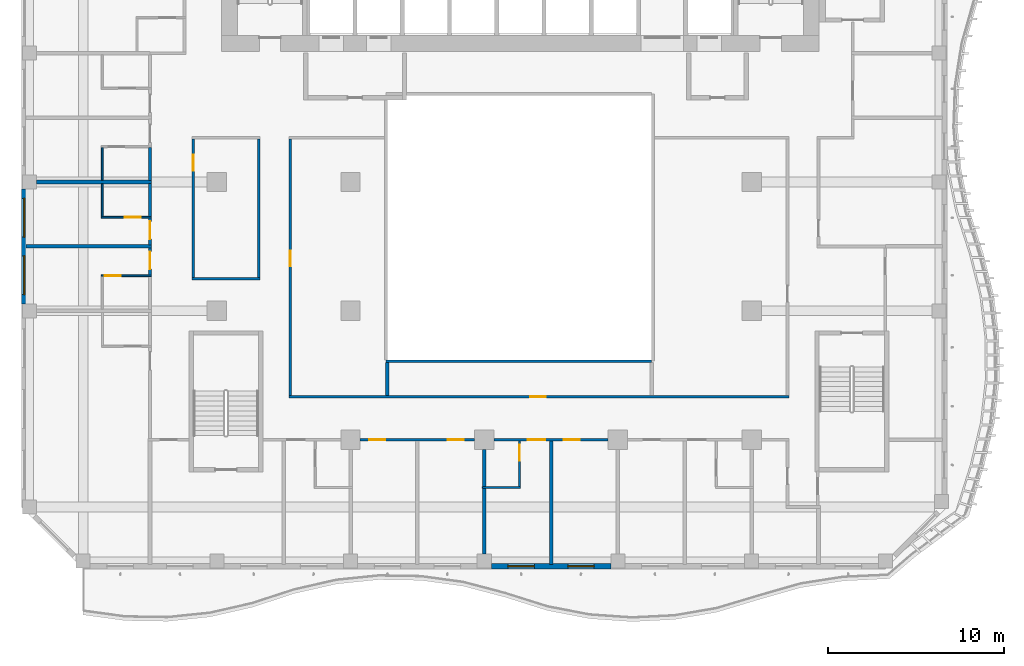
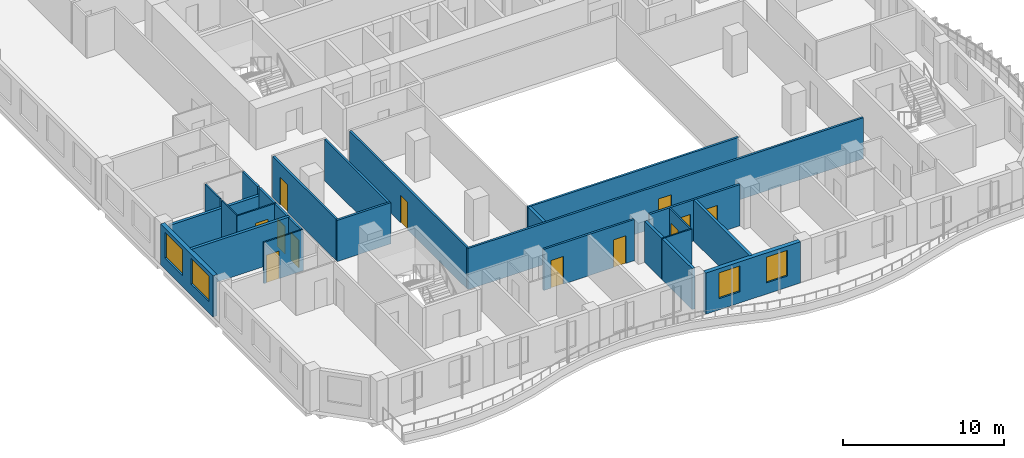
# One storey, part 3 of 22: 26 walls, 12 doors, 4 windows, 16 openings.
"""IFC4 building model written with IfcOpenShell, lengths in metres."""

from ifc_helpers import new_model, si_unit, direction, frame, frame_2d, origin, place, context, subcontext, project, spatial, rectangle, extrude, source, transform, mapped, material, layer, layer_set, type_object, element, fill, save


model = new_model("IFC4")

# Units and contexts
model_context = context("Model", 3, precision=1e-05, world=origin(), true_north=direction((0.0, 1.0)))
body_context = subcontext(model_context, "Body", "Model", "MODEL_VIEW")
ifc_project = project(units=[si_unit("LENGTHUNIT", "METRE"), si_unit("AREAUNIT", "SQUARE_METRE"), si_unit("VOLUMEUNIT", "CUBIC_METRE"), si_unit("PLANEANGLEUNIT", "RADIAN"), si_unit("MASSUNIT", "GRAM", prefix="KILO")], contexts=[model_context])

# Site, building, storey
site_placement = place(None, origin())
site = spatial("IfcSite", under=ifc_project, at=site_placement, CompositionType="ELEMENT")
building_placement = place(site_placement, origin())
building = spatial("IfcBuilding", under=site, at=building_placement, Name="Kilnfold Tower and Market Hall", CompositionType="ELEMENT")
storey_placement = place(building_placement, frame((0.0, 0.0, 143.89990234375)))
storey = spatial("IfcBuildingStorey", under=building, at=storey_placement, Name="L32", CompositionType="ELEMENT", Elevation=143.89990234375)

# Wall
ifc_material_1 = material(Name="Fire-resisting glazed screen")
ifc_layer_1 = layer(ifc_material_1, 0.14990234375)
ifc_layer_set_1 = layer_set([ifc_layer_1], Name="Fire-resisting glazed screen")
wall_type_1 = type_object("IfcWallType", Name="WALL ATRIUM 150", PredefinedType="PARTITIONING", material=ifc_layer_set_1)
wall_1_placement = place(storey_placement, frame((8.5, -9.47509765625, 0.0), z_axis=(0.0, 0.0, 1.0), x_axis=(-1.0, 0.0, 0.0)))
element("IfcWall", 1, at=wall_1_placement, inside=storey, type_object=wall_type_1, Name="Partition LY21.128", PredefinedType="PARTITIONING", context=body_context, shape_type="SweptSolid", body=[
    extrude(rectangle(XDim=15.074951171875, YDim=0.14990234375, at=frame_2d((7.53759765625, 0.0))), origin(), (0.0, 0.0, 1.0), 3.1201171875),
])

# Wall, openings, doors
ifc_material_2 = material(Name="Gypsum board on steel studs", Category="steel")
ifc_layer_2 = layer(ifc_material_2, 0.14990234375)
ifc_layer_set_2 = layer_set([ifc_layer_2], Name="Gypsum board on steel studs")
wall_type_2 = type_object("IfcWallType", Name="WALL CORRIDOR 150", PredefinedType="PARTITIONING", material=ifc_layer_set_2)
wall_2_placement = place(storey_placement, frame((-8.032958984375, -13.93798828125, 0.0), z_axis=(0.0, 0.0, 1.0), x_axis=(1.0, 0.0, 0.0)))
wall_2 = element("IfcWall", 2, at=wall_2_placement, inside=storey, type_object=wall_type_2, Name="Partition LY21.3", PredefinedType="PARTITIONING", context=body_context, shape_type="SweptSolid", body=[
    extrude(rectangle(XDim=6.48291015625, YDim=0.14990234375, at=frame_2d((3.241455078125, 0.0))), origin(), (0.0, 0.0, 1.0), 3.1201171875),
])
opening_1_placement = place(wall_2_placement, frame((0.508056640625, 0.0, 0.0)))
opening_1 = element("IfcOpeningElement", 3, at=opening_1_placement, cuts=wall_2, Name="Opening D2", PredefinedType="OPENING", context=body_context, shape_type="SweptSolid", body=[
    extrude(rectangle(XDim=0.89990234375, YDim=2.10009765625, at=frame_2d((0.449951171875, 1.050048828125))), frame((0.0, 0.0849609375, 0.0), z_axis=(0.0, -1.0, 0.0), x_axis=(1.0, 0.0, 0.0)), (0.0, 0.0, 1.0), 0.169921875),
])
opening_2_placement = place(wall_2_placement, frame((4.971923828125, 0.0, 0.0)))
opening_2 = element("IfcOpeningElement", 4, at=opening_2_placement, cuts=wall_2, Name="Opening D2", PredefinedType="OPENING", context=body_context, shape_type="SweptSolid", body=[
    extrude(rectangle(XDim=0.89990234375, YDim=2.10009765625, at=frame_2d((0.449951171875, 1.050048828125))), frame((0.0, 0.0849609375, 0.0), z_axis=(0.0, -1.0, 0.0), x_axis=(1.0, 0.0, 0.0)), (0.0, 0.0, 1.0), 0.169921875),
])
ifc_material_3 = material(Name="Timber veneer door leaf in steel frame", Category="steel")
door_type_1 = type_object("IfcDoorType", Name="DOOR ROOM 900 X2100", OperationType="NOTDEFINED", PredefinedType="DOOR", material=ifc_material_3)
door_1_placement = place(opening_1_placement, origin())
door_1 = element("IfcDoor", 5, at=door_1_placement, inside=storey, type_object=door_type_1, Name="Door D2", OperationType="SINGLE_SWING_RIGHT", OverallHeight=2.10009765625, OverallWidth=0.89990234375, PredefinedType="DOOR", context=body_context, shape_type="SweptSolid", body=[
    extrude(rectangle(XDim=0.89990234375, YDim=2.10009765625, at=frame_2d((0.449951171875, 1.050048828125))), frame((0.0, 0.02490234375, 0.0), z_axis=(0.0, -1.0, 0.0), x_axis=(1.0, 0.0, 0.0)), (0.0, 0.0, 1.0), 0.050048828125),
])
fill(opening_1, door_1)
door_2_placement = place(opening_2_placement, origin())
door_2 = element("IfcDoor", 6, at=door_2_placement, inside=storey, type_object=door_type_1, Name="Door D2", OperationType="SINGLE_SWING_RIGHT", OverallHeight=2.10009765625, OverallWidth=0.89990234375, PredefinedType="DOOR", context=body_context, shape_type="SweptSolid", body=[
    extrude(rectangle(XDim=0.89990234375, YDim=2.10009765625, at=frame_2d((0.449951171875, 1.050048828125))), frame((0.0, 0.02490234375, 0.0), z_axis=(0.0, -1.0, 0.0), x_axis=(1.0, 0.0, 0.0)), (0.0, 0.0, 1.0), 0.050048828125),
])
fill(opening_2, door_2)

wall_3_placement = place(storey_placement, frame((-0.449951171875, -13.93798828125, 0.0), z_axis=(0.0, 0.0, 1.0), x_axis=(1.0, 0.0, 0.0)))
wall_3 = element("IfcWall", 7, at=wall_3_placement, inside=storey, type_object=wall_type_2, Name="Partition LY21.4", PredefinedType="PARTITIONING", context=body_context, shape_type="SweptSolid", body=[
    extrude(rectangle(XDim=6.48291015625, YDim=0.14990234375, at=frame_2d((3.241455078125, 0.0))), origin(), (0.0, 0.0, 1.0), 3.1201171875),
])
opening_3_placement = place(wall_3_placement, frame((1.908935546875, 0.0, 0.0)))
opening_3 = element("IfcOpeningElement", 8, at=opening_3_placement, cuts=wall_3, Name="Opening D1", PredefinedType="OPENING", context=body_context, shape_type="SweptSolid", body=[
    extrude(rectangle(XDim=1.0, YDim=2.10009765625, at=frame_2d((0.5, 1.050048828125))), frame((0.0, 0.0849609375, 0.0), z_axis=(0.0, -1.0, 0.0), x_axis=(1.0, 0.0, 0.0)), (0.0, 0.0, 1.0), 0.169921875),
])
opening_4_placement = place(wall_3_placement, frame((3.968017578125, 0.0, 0.0)))
opening_4 = element("IfcOpeningElement", 9, at=opening_4_placement, cuts=wall_3, Name="Opening D2", PredefinedType="OPENING", context=body_context, shape_type="SweptSolid", body=[
    extrude(rectangle(XDim=0.89990234375, YDim=2.10009765625, at=frame_2d((0.449951171875, 1.050048828125))), frame((0.0, 0.0849609375, 0.0), z_axis=(0.0, -1.0, 0.0), x_axis=(1.0, 0.0, 0.0)), (0.0, 0.0, 1.0), 0.169921875),
])
ifc_material_4 = material(Name="Timber veneer door leaf in steel frame", Category="steel")
door_type_2 = type_object("IfcDoorType", Name="DOOR ENTRY 1000 X2100", OperationType="NOTDEFINED", PredefinedType="DOOR", material=ifc_material_4)
door_3_placement = place(opening_3_placement, origin())
door_3 = element("IfcDoor", 10, at=door_3_placement, inside=storey, type_object=door_type_2, Name="Door D1", OperationType="SINGLE_SWING_RIGHT", OverallHeight=2.10009765625, OverallWidth=1.0, PredefinedType="DOOR", context=body_context, shape_type="SweptSolid", body=[
    extrude(rectangle(XDim=1.0, YDim=2.10009765625, at=frame_2d((0.5, 1.050048828125))), frame((0.0, 0.02490234375, 0.0), z_axis=(0.0, -1.0, 0.0), x_axis=(1.0, 0.0, 0.0)), (0.0, 0.0, 1.0), 0.050048828125),
])
fill(opening_3, door_3)
door_4_placement = place(opening_4_placement, origin())
door_4 = element("IfcDoor", 11, at=door_4_placement, inside=storey, type_object=door_type_1, Name="Door D2", OperationType="SINGLE_SWING_LEFT", OverallHeight=2.10009765625, OverallWidth=0.89990234375, PredefinedType="DOOR", context=body_context, shape_type="SweptSolid", body=[
    extrude(rectangle(XDim=0.89990234375, YDim=2.10009765625, at=frame_2d((0.449951171875, 1.050048828125))), frame((0.0, 0.02490234375, 0.0), z_axis=(0.0, -1.0, 0.0), x_axis=(1.0, 0.0, 0.0)), (0.0, 0.0, 1.0), 0.050048828125),
])
fill(opening_4, door_4)

# Wall, opening, door
wall_4_placement = place(storey_placement, frame((-19.958984375, -4.5849609375, 0.0), z_axis=(0.0, 0.0, 1.0), x_axis=(0.0, 1.0, 0.0)))
wall_4 = element("IfcWall", 12, at=wall_4_placement, inside=storey, type_object=wall_type_2, Name="Partition LY21.12", PredefinedType="PARTITIONING", context=body_context, shape_type="SweptSolid", body=[
    extrude(rectangle(XDim=1.52587890625, YDim=0.14990234375, at=frame_2d((0.762939453125, 0.0))), origin(), (0.0, 0.0, 1.0), 3.1201171875),
])
opening_5_placement = place(wall_4_placement, frame((0.325927734375, 0.0, 0.0)))
opening_5 = element("IfcOpeningElement", 13, at=opening_5_placement, cuts=wall_4, Name="Opening D1", PredefinedType="OPENING", context=body_context, shape_type="SweptSolid", body=[
    extrude(rectangle(XDim=1.0, YDim=2.10009765625, at=frame_2d((0.5, 1.050048828125))), frame((0.0, 0.0849609375, 0.0), z_axis=(0.0, -1.0, 0.0), x_axis=(1.0, 0.0, 0.0)), (0.0, 0.0, 1.0), 0.169921875),
])
door_5_placement = place(opening_5_placement, origin())
door_5 = element("IfcDoor", 14, at=door_5_placement, inside=storey, type_object=door_type_2, Name="Door D1", OperationType="SINGLE_SWING_LEFT", OverallHeight=2.10009765625, OverallWidth=1.0, PredefinedType="DOOR", context=body_context, shape_type="SweptSolid", body=[
    extrude(rectangle(XDim=1.0, YDim=2.10009765625, at=frame_2d((0.5, 1.050048828125))), frame((0.0, 0.02490234375, 0.0), z_axis=(0.0, -1.0, 0.0), x_axis=(1.0, 0.0, 0.0)), (0.0, 0.0, 1.0), 0.050048828125),
])
fill(opening_5, door_5)

wall_5_placement = place(storey_placement, frame((-19.958984375, -2.87890625, 0.0), z_axis=(0.0, 0.0, 1.0), x_axis=(0.0, 1.0, 0.0)))
wall_5 = element("IfcWall", 15, at=wall_5_placement, inside=storey, type_object=wall_type_2, Name="Partition LY21.14", PredefinedType="PARTITIONING", context=body_context, shape_type="SweptSolid", body=[
    extrude(rectangle(XDim=1.52685546875, YDim=0.14990234375, at=frame_2d((0.763427734375, 0.0))), origin(), (0.0, 0.0, 1.0), 3.1201171875),
])
opening_6_placement = place(wall_5_placement, frame((0.326904296875, 0.0, 0.0)))
opening_6 = element("IfcOpeningElement", 16, at=opening_6_placement, cuts=wall_5, Name="Opening D1", PredefinedType="OPENING", context=body_context, shape_type="SweptSolid", body=[
    extrude(rectangle(XDim=1.0, YDim=2.10009765625, at=frame_2d((0.5, 1.050048828125))), frame((0.0, 0.0849609375, 0.0), z_axis=(0.0, -1.0, 0.0), x_axis=(1.0, 0.0, 0.0)), (0.0, 0.0, 1.0), 0.169921875),
])
door_6_placement = place(opening_6_placement, origin())
door_6 = element("IfcDoor", 17, at=door_6_placement, inside=storey, type_object=door_type_2, Name="Door D1", OperationType="SINGLE_SWING_LEFT", OverallHeight=2.10009765625, OverallWidth=1.0, PredefinedType="DOOR", context=body_context, shape_type="SweptSolid", body=[
    extrude(rectangle(XDim=1.0, YDim=2.10009765625, at=frame_2d((0.5, 1.050048828125))), frame((0.0, 0.02490234375, 0.0), z_axis=(0.0, -1.0, 0.0), x_axis=(1.0, 0.0, 0.0)), (0.0, 0.0, 1.0), 0.050048828125),
])
fill(opening_6, door_6)

# Walls
for number, where, z_axis, x_axis, name in (
    (18, (-19.958984375, -1.27197265625, 0.0), (0.0, 0.0, 1.0), (0.0, 1.0, 0.0), "Partition LY21.15"),
    (19, (-19.958984375, 0.778076171875, 0.0), (0.0, 0.0, 1.0), (0.0, 1.0, 0.0), "Partition LY21.17"),
):
    element("IfcWall", number, at=place(storey_placement, frame(where, z_axis=z_axis, x_axis=x_axis)), inside=storey, type_object=wall_type_2, Name=name, PredefinedType="PARTITIONING", context=body_context, shape_type="SweptSolid", body=[
        extrude(rectangle(XDim=1.869873046875, YDim=0.14990234375, at=frame_2d((0.93505859375, 0.0))), origin(), (0.0, 0.0, 1.0), 3.1201171875),
    ])

# Wall, opening, door
wall_6_placement = place(storey_placement, frame((-12.0, -11.425048828125, 0.0), z_axis=(0.0, 0.0, 1.0), x_axis=(0.0, 1.0, 0.0)))
wall_6 = element("IfcWall", 20, at=wall_6_placement, inside=storey, type_object=wall_type_2, Name="Partition LY21.37", PredefinedType="PARTITIONING", context=body_context, shape_type="SweptSolid", body=[
    extrude(rectangle(XDim=14.550048828125, YDim=0.14990234375, at=frame_2d((7.27490234375, 0.0))), origin(), (0.0, 0.0, 1.0), 3.1201171875),
])
opening_7_placement = place(wall_6_placement, frame((7.326904296875, 0.0, 0.0)))
opening_7 = element("IfcOpeningElement", 21, at=opening_7_placement, cuts=wall_6, Name="Opening D2", PredefinedType="OPENING", context=body_context, shape_type="SweptSolid", body=[
    extrude(rectangle(XDim=0.89990234375, YDim=2.10009765625, at=frame_2d((0.449951171875, 1.050048828125))), frame((0.0, 0.0849609375, 0.0), z_axis=(0.0, -1.0, 0.0), x_axis=(1.0, 0.0, 0.0)), (0.0, 0.0, 1.0), 0.169921875),
])
door_7_placement = place(opening_7_placement, origin())
door_7 = element("IfcDoor", 22, at=door_7_placement, inside=storey, type_object=door_type_1, Name="Door D2", OperationType="SINGLE_SWING_RIGHT", OverallHeight=2.10009765625, OverallWidth=0.89990234375, PredefinedType="DOOR", context=body_context, shape_type="SweptSolid", body=[
    extrude(rectangle(XDim=0.89990234375, YDim=2.10009765625, at=frame_2d((0.449951171875, 1.050048828125))), frame((0.0, 0.02490234375, 0.0), z_axis=(0.0, -1.0, 0.0), x_axis=(1.0, 0.0, 0.0)), (0.0, 0.0, 1.0), 0.050048828125),
])
fill(opening_7, door_7)

wall_7_placement = place(storey_placement, frame((-12.074951171875, -11.5, 0.0), z_axis=(0.0, 0.0, 1.0), x_axis=(1.0, 0.0, 0.0)))
wall_7 = element("IfcWall", 23, at=wall_7_placement, inside=storey, type_object=wall_type_2, Name="Partition LY21.38", PredefinedType="PARTITIONING", context=body_context, shape_type="SweptSolid", body=[
    extrude(rectangle(XDim=28.349853515625, YDim=0.14990234375, at=frame_2d((14.1748046875, 0.0))), origin(), (0.0, 0.0, 1.0), 3.1201171875),
])
opening_8_placement = place(wall_7_placement, frame((13.677001953125, 0.0, 0.0)))
opening_8 = element("IfcOpeningElement", 24, at=opening_8_placement, cuts=wall_7, Name="Opening D2", PredefinedType="OPENING", context=body_context, shape_type="SweptSolid", body=[
    extrude(rectangle(XDim=0.89990234375, YDim=2.10009765625, at=frame_2d((0.449951171875, 1.050048828125))), frame((0.0, 0.0849609375, 0.0), z_axis=(0.0, -1.0, 0.0), x_axis=(1.0, 0.0, 0.0)), (0.0, 0.0, 1.0), 0.169921875),
])
door_8_placement = place(opening_8_placement, origin())
door_8 = element("IfcDoor", 25, at=door_8_placement, inside=storey, type_object=door_type_1, Name="Door D2", OperationType="SINGLE_SWING_LEFT", OverallHeight=2.10009765625, OverallWidth=0.89990234375, PredefinedType="DOOR", context=body_context, shape_type="SweptSolid", body=[
    extrude(rectangle(XDim=0.89990234375, YDim=2.10009765625, at=frame_2d((0.449951171875, 1.050048828125))), frame((0.0, 0.02490234375, 0.0), z_axis=(0.0, -1.0, 0.0), x_axis=(1.0, 0.0, 0.0)), (0.0, 0.0, 1.0), 0.050048828125),
])
fill(opening_8, door_8)

wall_8_placement = place(storey_placement, frame((-17.5, -4.72509765625, 0.0), z_axis=(0.0, 0.0, 1.0), x_axis=(0.0, 1.0, 0.0)))
wall_8 = element("IfcWall", 26, at=wall_8_placement, inside=storey, type_object=wall_type_2, Name="Partition LY21.40", PredefinedType="PARTITIONING", context=body_context, shape_type="SweptSolid", body=[
    extrude(rectangle(XDim=7.85009765625, YDim=0.14990234375, at=frame_2d((3.925048828125, 0.0))), origin(), (0.0, 0.0, 1.0), 3.1201171875),
])
opening_9_placement = place(wall_8_placement, frame((6.044921875, 0.0, 0.0)))
opening_9 = element("IfcOpeningElement", 27, at=opening_9_placement, cuts=wall_8, Name="Opening D2", PredefinedType="OPENING", context=body_context, shape_type="SweptSolid", body=[
    extrude(rectangle(XDim=0.89990234375, YDim=2.10009765625, at=frame_2d((0.449951171875, 1.050048828125))), frame((0.0, 0.0849609375, 0.0), z_axis=(0.0, -1.0, 0.0), x_axis=(1.0, 0.0, 0.0)), (0.0, 0.0, 1.0), 0.169921875),
])
door_9_placement = place(opening_9_placement, origin())
door_9 = element("IfcDoor", 28, at=door_9_placement, inside=storey, type_object=door_type_1, Name="Door D2", OperationType="SINGLE_SWING_LEFT", OverallHeight=2.10009765625, OverallWidth=0.89990234375, PredefinedType="DOOR", context=body_context, shape_type="SweptSolid", body=[
    extrude(rectangle(XDim=0.89990234375, YDim=2.10009765625, at=frame_2d((0.449951171875, 1.050048828125))), frame((0.0, 0.02490234375, 0.0), z_axis=(0.0, -1.0, 0.0), x_axis=(1.0, 0.0, 0.0)), (0.0, 0.0, 1.0), 0.050048828125),
])
fill(opening_9, door_9)

# Walls
wall_9_placement = place(storey_placement, frame((-13.72509765625, -4.800048828125, 0.0), z_axis=(0.0, 0.0, 1.0), x_axis=(-1.0, 0.0, 0.0)))
element("IfcWall", 29, at=wall_9_placement, inside=storey, type_object=wall_type_2, Name="Partition LY21.41", PredefinedType="PARTITIONING", context=body_context, shape_type="SweptSolid", body=[
    extrude(rectangle(XDim=3.849853515625, YDim=0.14990234375, at=frame_2d((1.9248046875, 0.0))), origin(), (0.0, 0.0, 1.0), 3.1201171875),
])
wall_10_placement = place(storey_placement, frame((-13.800048828125, 3.125, 0.0), z_axis=(0.0, 0.0, 1.0), x_axis=(0.0, -1.0, 0.0)))
element("IfcWall", 30, at=wall_10_placement, inside=storey, type_object=wall_type_2, Name="Partition LY21.42", PredefinedType="PARTITIONING", context=body_context, shape_type="SweptSolid", body=[
    extrude(rectangle(XDim=7.85009765625, YDim=0.14990234375, at=frame_2d((3.925048828125, 0.0))), origin(), (0.0, 0.0, 1.0), 3.1201171875),
])

# Wall, opening, door
ifc_material_5 = material(Name="Gypsum board on steel studs", Category="steel")
ifc_layer_3 = layer(ifc_material_5, 0.10009765625)
ifc_layer_set_3 = layer_set([ifc_layer_3], Name="Gypsum board on steel studs")
wall_type_3 = type_object("IfcWallType", Name="WALL PARTITION 100", PredefinedType="PARTITIONING", material=ifc_layer_set_3)
wall_11_placement = place(storey_placement, frame((1.0, -16.590087890625, 0.0), z_axis=(0.0, 0.0, 1.0), x_axis=(0.0, 1.0, 0.0)))
wall_11 = element("IfcWall", 31, at=wall_11_placement, inside=storey, type_object=wall_type_3, Name="Partition LY21.54", PredefinedType="PARTITIONING", context=body_context, shape_type="SweptSolid", body=[
    extrude(rectangle(XDim=2.5751953125, YDim=0.10009765625, at=frame_2d((1.28759765625, 0.0))), origin(), (0.0, 0.0, 1.0), 3.1201171875),
])
opening_10_placement = place(wall_11_placement, frame((1.47509765625, 0.0, 0.0)))
opening_10 = element("IfcOpeningElement", 32, at=opening_10_placement, cuts=wall_11, Name="Opening D3", PredefinedType="OPENING", context=body_context, shape_type="SweptSolid", body=[
    extrude(rectangle(XDim=0.89990234375, YDim=2.10009765625, at=frame_2d((0.449951171875, 1.050048828125))), frame((0.0, 0.06005859375, 0.0), z_axis=(0.0, -1.0, 0.0), x_axis=(1.0, 0.0, 0.0)), (0.0, 0.0, 1.0), 0.1201171875),
])
ifc_material_6 = material(Name="Timber veneer door leaf in steel frame", Category="steel")
door_type_3 = type_object("IfcDoorType", Name="DOOR WC 900 X2100", OperationType="NOTDEFINED", PredefinedType="DOOR", material=ifc_material_6)
door_10_placement = place(opening_10_placement, origin())
door_10 = element("IfcDoor", 33, at=door_10_placement, inside=storey, type_object=door_type_3, Name="Door D3", OperationType="SINGLE_SWING_LEFT", OverallHeight=2.10009765625, OverallWidth=0.89990234375, PredefinedType="DOOR", context=body_context, shape_type="SweptSolid", body=[
    extrude(rectangle(XDim=0.89990234375, YDim=2.10009765625, at=frame_2d((0.449951171875, 1.050048828125))), frame((0.0, 0.02490234375, 0.0), z_axis=(0.0, -1.0, 0.0), x_axis=(1.0, 0.0, 0.0)), (0.0, 0.0, 1.0), 0.050048828125),
])
fill(opening_10, door_10)

# Wall
wall_12_placement = place(storey_placement, frame((-1.10009765625, -16.639892578125, 0.0), z_axis=(0.0, 0.0, 1.0), x_axis=(1.0, 0.0, 0.0)))
element("IfcWall", 34, at=wall_12_placement, inside=storey, type_object=wall_type_3, Name="Partition LY21.55", PredefinedType="PARTITIONING", context=body_context, shape_type="SweptSolid", body=[
    extrude(rectangle(XDim=2.150146484375, YDim=0.10009765625, at=frame_2d((1.0751953125, 0.0))), origin(), (0.0, 0.0, 1.0), 3.1201171875),
])

# Wall, opening, door
wall_13_placement = place(storey_placement, frame((-22.7109375, -4.625, 0.0), z_axis=(0.0, 0.0, 1.0), x_axis=(1.0, 0.0, 0.0)))
wall_13 = element("IfcWall", 35, at=wall_13_placement, inside=storey, type_object=wall_type_3, Name="Partition LY21.68", PredefinedType="PARTITIONING", context=body_context, shape_type="SweptSolid", body=[
    extrude(rectangle(XDim=2.824951171875, YDim=0.10009765625, at=frame_2d((1.41259765625, 0.0))), origin(), (0.0, 0.0, 1.0), 3.1201171875),
])
opening_11_placement = place(wall_13_placement, frame((0.199951171875, 0.0, 0.0)))
opening_11 = element("IfcOpeningElement", 36, at=opening_11_placement, cuts=wall_13, Name="Opening D3", PredefinedType="OPENING", context=body_context, shape_type="SweptSolid", body=[
    extrude(rectangle(XDim=0.89990234375, YDim=2.10009765625, at=frame_2d((0.449951171875, 1.050048828125))), frame((0.0, 0.06005859375, 0.0), z_axis=(0.0, -1.0, 0.0), x_axis=(1.0, 0.0, 0.0)), (0.0, 0.0, 1.0), 0.1201171875),
])
door_11_placement = place(opening_11_placement, origin())
door_11 = element("IfcDoor", 37, at=door_11_placement, inside=storey, type_object=door_type_3, Name="Door D3", OperationType="SINGLE_SWING_LEFT", OverallHeight=2.10009765625, OverallWidth=0.89990234375, PredefinedType="DOOR", context=body_context, shape_type="SweptSolid", body=[
    extrude(rectangle(XDim=0.89990234375, YDim=2.10009765625, at=frame_2d((0.449951171875, 1.050048828125))), frame((0.0, 0.02490234375, 0.0), z_axis=(0.0, -1.0, 0.0), x_axis=(1.0, 0.0, 0.0)), (0.0, 0.0, 1.0), 0.050048828125),
])
fill(opening_11, door_11)

wall_14_placement = place(storey_placement, frame((-19.885986328125, -1.31201171875, 0.0), z_axis=(0.0, 0.0, 1.0), x_axis=(-1.0, 0.0, 0.0)))
wall_14 = element("IfcWall", 38, at=wall_14_placement, inside=storey, type_object=wall_type_3, Name="Partition LY21.71", PredefinedType="PARTITIONING", context=body_context, shape_type="SweptSolid", body=[
    extrude(rectangle(XDim=2.824951171875, YDim=0.10009765625, at=frame_2d((1.41259765625, 0.0))), origin(), (0.0, 0.0, 1.0), 3.1201171875),
])
opening_12_placement = place(wall_14_placement, frame((0.60693359375, 0.0, 0.0)))
opening_12 = element("IfcOpeningElement", 39, at=opening_12_placement, cuts=wall_14, Name="Opening D3", PredefinedType="OPENING", context=body_context, shape_type="SweptSolid", body=[
    extrude(rectangle(XDim=0.89990234375, YDim=2.10009765625, at=frame_2d((0.449951171875, 1.050048828125))), frame((0.0, 0.06005859375, 0.0), z_axis=(0.0, -1.0, 0.0), x_axis=(1.0, 0.0, 0.0)), (0.0, 0.0, 1.0), 0.1201171875),
])
door_12_placement = place(opening_12_placement, origin())
door_12 = element("IfcDoor", 40, at=door_12_placement, inside=storey, type_object=door_type_3, Name="Door D3", OperationType="SINGLE_SWING_LEFT", OverallHeight=2.10009765625, OverallWidth=0.89990234375, PredefinedType="DOOR", context=body_context, shape_type="SweptSolid", body=[
    extrude(rectangle(XDim=0.89990234375, YDim=2.10009765625, at=frame_2d((0.449951171875, 1.050048828125))), frame((0.0, 0.02490234375, 0.0), z_axis=(0.0, -1.0, 0.0), x_axis=(1.0, 0.0, 0.0)), (0.0, 0.0, 1.0), 0.050048828125),
])
fill(opening_12, door_12)

# Walls
for number, where, z_axis, x_axis, name in (
    (41, (-22.660888671875, -1.261962890625, 0.0), (0.0, 0.0, 1.0), (0.0, 1.0, 0.0), "Partition LY21.72"),
    (42, (-22.660888671875, 0.7880859375, 0.0), (0.0, 0.0, 1.0), (0.0, 1.0, 0.0), "Partition LY21.75"),
):
    element("IfcWall", number, at=place(storey_placement, frame(where, z_axis=z_axis, x_axis=x_axis)), inside=storey, type_object=wall_type_3, Name=name, PredefinedType="PARTITIONING", context=body_context, shape_type="SweptSolid", body=[
        extrude(rectangle(XDim=1.849853515625, YDim=0.10009765625, at=frame_2d((0.9248046875, 0.0))), origin(), (0.0, 0.0, 1.0), 3.1201171875),
    ])
ifc_material_7 = material(Name="Gypsum board on steel studs", Category="steel")
ifc_layer_4 = layer(ifc_material_7, 0.199951171875)
ifc_layer_set_4 = layer_set([ifc_layer_4], Name="Gypsum board on steel studs")
wall_type_4 = type_object("IfcWallType", Name="WALL PARTY 200", PredefinedType="PARTITIONING", material=ifc_layer_set_4)
wall_15_placement = place(storey_placement, frame((-1.0, -20.39990234375, 0.0), z_axis=(0.0, 0.0, 1.0), x_axis=(0.0, 1.0, 0.0)))
element("IfcWall", 43, at=wall_15_placement, inside=storey, type_object=wall_type_4, Name="Partition LY21.52", PredefinedType="PARTITIONING", context=body_context, shape_type="SweptSolid", body=[
    extrude(rectangle(XDim=3.719970703125, YDim=0.199951171875, at=frame_2d((1.85986328125, 0.0))), origin(), (0.0, 0.0, 1.0), 3.1201171875),
])
wall_16_placement = place(storey_placement, frame((-1.0, -16.60009765625, 0.0), z_axis=(0.0, 0.0, 1.0), x_axis=(0.0, 1.0, 0.0)))
element("IfcWall", 44, at=wall_16_placement, inside=storey, type_object=wall_type_4, Name="Partition LY21.53", PredefinedType="PARTITIONING", context=body_context, shape_type="SweptSolid", body=[
    extrude(rectangle(XDim=2.112060546875, YDim=0.199951171875, at=frame_2d((1.05615234375, 0.0))), origin(), (0.0, 0.0, 1.0), 3.1201171875),
])
wall_17_placement = place(storey_placement, frame((2.7919921875, -21.0, 0.0), z_axis=(0.0, 0.0, 1.0), x_axis=(0.0, 1.0, 0.0)))
element("IfcWall", 45, at=wall_17_placement, inside=storey, type_object=wall_type_4, Name="Partition LY21.56", PredefinedType="PARTITIONING", context=body_context, shape_type="SweptSolid", body=[
    extrude(rectangle(XDim=6.985107421875, YDim=0.199951171875, at=frame_2d((3.49267578125, 0.0))), origin(), (0.0, 0.0, 1.0), 3.1201171875),
])
wall_18_placement = place(storey_placement, frame((-19.885986328125, -2.968994140625, 0.0), z_axis=(0.0, 0.0, 1.0), x_axis=(-1.0, 0.0, 0.0)))
element("IfcWall", 46, at=wall_18_placement, inside=storey, type_object=wall_type_4, Name="Partition LY21.70", PredefinedType="PARTITIONING", context=body_context, shape_type="SweptSolid", body=[
    extrude(rectangle(XDim=7.114013671875, YDim=0.199951171875, at=frame_2d((3.55712890625, 0.0))), origin(), (0.0, 0.0, 1.0), 3.1201171875),
])
wall_19_placement = place(storey_placement, frame((-26.39990234375, 0.68798828125, 0.0), z_axis=(0.0, 0.0, 1.0), x_axis=(1.0, 0.0, 0.0)))
element("IfcWall", 47, at=wall_19_placement, inside=storey, type_object=wall_type_4, Name="Partition LY21.73", PredefinedType="PARTITIONING", context=body_context, shape_type="SweptSolid", body=[
    extrude(rectangle(XDim=6.513916015625, YDim=0.199951171875, at=frame_2d((3.2568359375, 0.0))), origin(), (0.0, 0.0, 1.0), 2.52001953125),
])
wall_20_placement = place(storey_placement, frame((-6.5, -11.423095703125, 0.0), z_axis=(0.0, 0.0, 1.0), x_axis=(0.0, 1.0, 0.0)))
element("IfcWall", 48, at=wall_20_placement, inside=storey, type_object=wall_type_4, Name="Partition LY21.126", PredefinedType="PARTITIONING", context=body_context, shape_type="SweptSolid", body=[
    extrude(rectangle(XDim=1.883056640625, YDim=0.199951171875, at=frame_2d((0.94140625, 0.0))), origin(), (0.0, 0.0, 1.0), 3.1201171875),
])

# Wall, openings, windows
ifc_material_8 = material(Name="Precast concrete C50/60", Category="concrete")
ifc_layer_5 = layer(ifc_material_8, 0.300048828125)
ifc_layer_set_5 = layer_set([ifc_layer_5], Name="Precast concrete C50/60")
wall_type_5 = type_object("IfcWallType", Name="PRECAST WALL 300", PredefinedType="SOLIDWALL", material=ifc_layer_set_5)
shared_shape_1 = source(origin(), body_context, "Body", "SweptSolid", [
    extrude(rectangle(XDim=6.783447265625, YDim=0.300048828125, at=frame_2d((3.3916015625, 0.0))), origin(), (0.0, 0.0, 1.0), 3.1201171875),
])
wall_21_placement = place(storey_placement, frame((-0.60009765625, -21.10009765625, 0.0), z_axis=(0.0, 0.0, 1.0), x_axis=(1.0, 0.0, 0.0)))
wall_21 = element("IfcWall", 49, at=wall_21_placement, inside=storey, type_object=wall_type_5, Name="External wall L32 S", PredefinedType="SOLIDWALL", context=body_context, shape_type="MappedRepresentation", body=[
    mapped(shared_shape_1, transform((0.0, 0.0, 0.0))),
])
opening_13_placement = place(wall_21_placement, frame((0.94580078125, 0.0, 0.85009765625)))
opening_13 = element("IfcOpeningElement", 50, at=opening_13_placement, cuts=wall_21, Name="Opening W4", PredefinedType="OPENING", context=body_context, shape_type="SweptSolid", body=[
    extrude(rectangle(XDim=1.5, YDim=1.949951171875, at=frame_2d((0.75, 0.97509765625))), frame((0.0, 0.16015625, 0.0), z_axis=(0.0, -1.0, 0.0), x_axis=(1.0, 0.0, 0.0)), (0.0, 0.0, 1.0), 0.320068359375),
])
opening_14_placement = place(wall_21_placement, frame((4.33740234375, 0.0, 0.85009765625)))
opening_14 = element("IfcOpeningElement", 51, at=opening_14_placement, cuts=wall_21, Name="Opening W4", PredefinedType="OPENING", context=body_context, shape_type="SweptSolid", body=[
    extrude(rectangle(XDim=1.5, YDim=1.949951171875, at=frame_2d((0.75, 0.97509765625))), frame((0.0, 0.16015625, 0.0), z_axis=(0.0, -1.0, 0.0), x_axis=(1.0, 0.0, 0.0)), (0.0, 0.0, 1.0), 0.320068359375),
])
ifc_material_9 = material(Name="Aluminium frame and double glazing", Category="aluminium")
window_type_1 = type_object("IfcWindowType", Name="WINDOW W4 1500X1950", PartitioningType="SINGLE_PANEL", PredefinedType="WINDOW", material=ifc_material_9)
window_1_placement = place(opening_13_placement, origin())
window_1 = element("IfcWindow", 52, at=window_1_placement, inside=storey, type_object=window_type_1, Name="Window W4 L32 S-1", OverallHeight=1.949951171875, OverallWidth=1.5, PartitioningType="SINGLE_PANEL", PredefinedType="WINDOW", context=body_context, shape_type="SweptSolid", body=[
    extrude(rectangle(XDim=1.5, YDim=1.949951171875, at=frame_2d((0.75, 0.97509765625))), frame((0.0, 0.030029296875, 0.0), z_axis=(0.0, -1.0, 0.0), x_axis=(1.0, 0.0, 0.0)), (0.0, 0.0, 1.0), 0.06005859375),
])
fill(opening_13, window_1)
window_2_placement = place(opening_14_placement, origin())
window_2 = element("IfcWindow", 53, at=window_2_placement, inside=storey, type_object=window_type_1, Name="Window W4 L32 S-2", OverallHeight=1.949951171875, OverallWidth=1.5, PartitioningType="SINGLE_PANEL", PredefinedType="WINDOW", context=body_context, shape_type="SweptSolid", body=[
    extrude(rectangle(XDim=1.5, YDim=1.949951171875, at=frame_2d((0.75, 0.97509765625))), frame((0.0, 0.030029296875, 0.0), z_axis=(0.0, -1.0, 0.0), x_axis=(1.0, 0.0, 0.0)), (0.0, 0.0, 1.0), 0.06005859375),
])
fill(opening_14, window_2)

shared_shape_2 = source(origin(), body_context, "Body", "SweptSolid", [
    extrude(rectangle(XDim=6.5126953125, YDim=0.300048828125, at=frame_2d((3.25634765625, 0.0))), origin(), (0.0, 0.0, 1.0), 3.1201171875),
])
wall_22_placement = place(storey_placement, frame((-27.10009765625, 0.28759765625, 0.0), z_axis=(0.0, 0.0, 1.0), x_axis=(0.0, -1.0, 0.0)))
wall_22 = element("IfcWall", 54, at=wall_22_placement, inside=storey, type_object=wall_type_5, Name="External wall L32 W", PredefinedType="SOLIDWALL", context=body_context, shape_type="MappedRepresentation", body=[
    mapped(shared_shape_2, transform((0.0, 0.0, 0.0))),
])
opening_15_placement = place(wall_22_placement, frame((0.5283203125, 0.0, 0.85009765625)))
opening_15 = element("IfcOpeningElement", 55, at=opening_15_placement, cuts=wall_22, Name="Opening W2", PredefinedType="OPENING", context=body_context, shape_type="SweptSolid", body=[
    extrude(rectangle(XDim=2.199951171875, YDim=1.949951171875, at=frame_2d((1.10009765625, 0.97509765625))), frame((0.0, 0.16015625, 0.0), z_axis=(0.0, -1.0, 0.0), x_axis=(1.0, 0.0, 0.0)), (0.0, 0.0, 1.0), 0.320068359375),
])
opening_16_placement = place(wall_22_placement, frame((3.784423828125, 0.0, 0.85009765625)))
opening_16 = element("IfcOpeningElement", 56, at=opening_16_placement, cuts=wall_22, Name="Opening W2", PredefinedType="OPENING", context=body_context, shape_type="SweptSolid", body=[
    extrude(rectangle(XDim=2.199951171875, YDim=1.949951171875, at=frame_2d((1.10009765625, 0.97509765625))), frame((0.0, 0.16015625, 0.0), z_axis=(0.0, -1.0, 0.0), x_axis=(1.0, 0.0, 0.0)), (0.0, 0.0, 1.0), 0.320068359375),
])
ifc_material_10 = material(Name="Aluminium frame and double glazing", Category="aluminium")
window_type_2 = type_object("IfcWindowType", Name="WINDOW W2 2200X1950", PartitioningType="SINGLE_PANEL", PredefinedType="WINDOW", material=ifc_material_10)
window_3_placement = place(opening_15_placement, origin())
window_3 = element("IfcWindow", 57, at=window_3_placement, inside=storey, type_object=window_type_2, Name="Window W2 L32 W-1", OverallHeight=1.949951171875, OverallWidth=2.199951171875, PartitioningType="SINGLE_PANEL", PredefinedType="WINDOW", context=body_context, shape_type="SweptSolid", body=[
    extrude(rectangle(XDim=2.199951171875, YDim=1.949951171875, at=frame_2d((1.10009765625, 0.97509765625))), frame((0.0, 0.030029296875, 0.0), z_axis=(0.0, -1.0, 0.0), x_axis=(1.0, 0.0, 0.0)), (0.0, 0.0, 1.0), 0.06005859375),
])
fill(opening_15, window_3)
window_4_placement = place(opening_16_placement, origin())
window_4 = element("IfcWindow", 58, at=window_4_placement, inside=storey, type_object=window_type_2, Name="Window W2 L32 W-2", OverallHeight=1.949951171875, OverallWidth=2.199951171875, PartitioningType="SINGLE_PANEL", PredefinedType="WINDOW", context=body_context, shape_type="SweptSolid", body=[
    extrude(rectangle(XDim=2.199951171875, YDim=1.949951171875, at=frame_2d((1.10009765625, 0.97509765625))), frame((0.0, 0.030029296875, 0.0), z_axis=(0.0, -1.0, 0.0), x_axis=(1.0, 0.0, 0.0)), (0.0, 0.0, 1.0), 0.06005859375),
])
fill(opening_16, window_4)

save(model, "model.ifc")
